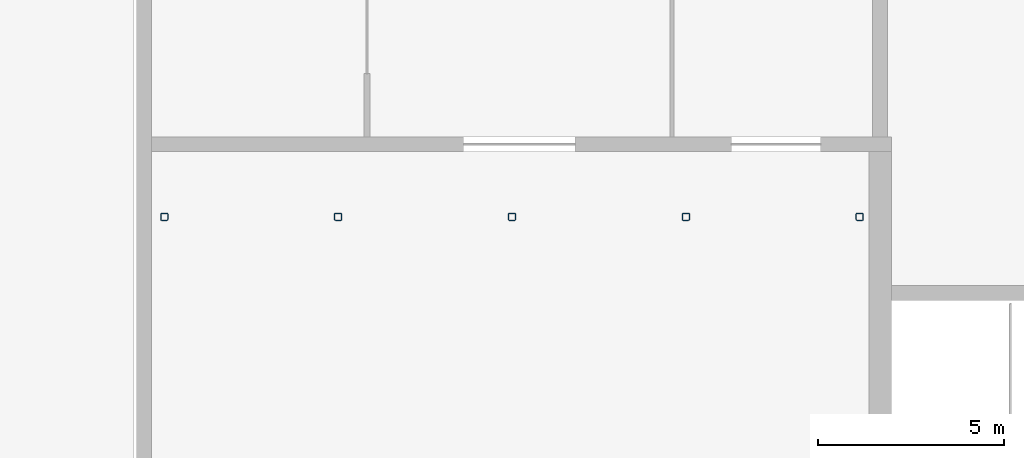
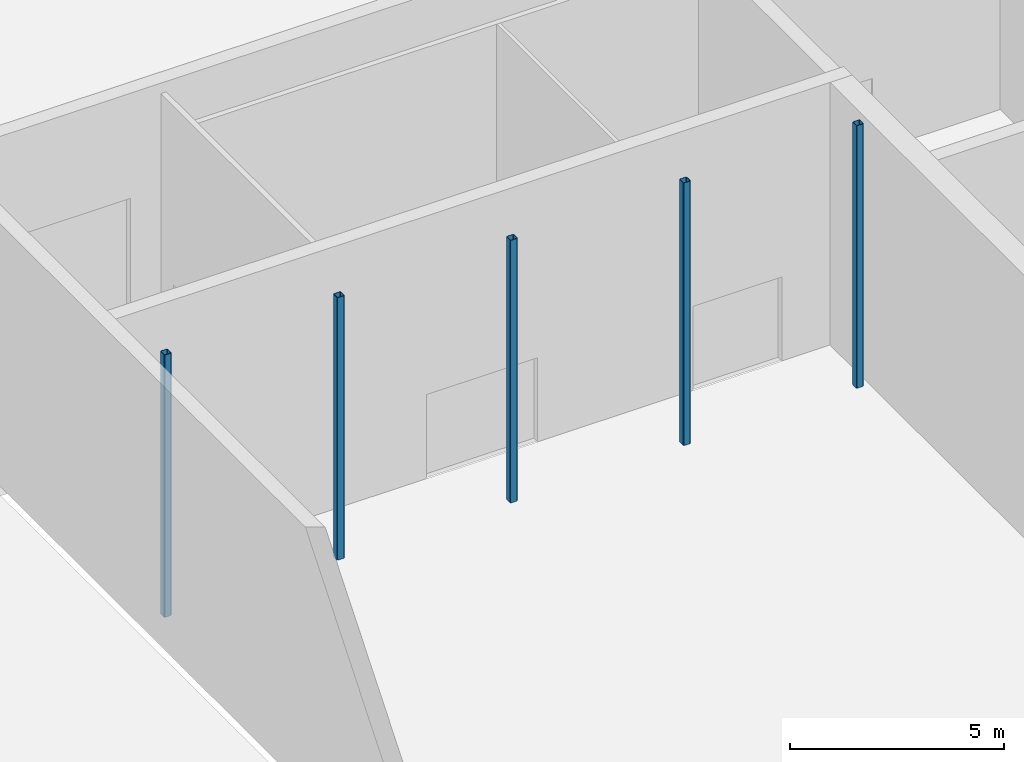
# One storey, part 6 of 79: 5 columns.
"""IFC4 building model written with IfcOpenShell, lengths in metres."""

import ifcopenshell
import ifcopenshell.guid

model = None  # the IFC model being written
_history = None  # IfcOwnerHistory: only IFC2X3 demands one
_inside = {}  # id of a spatial element -> (the spatial element, [elements in it])
_under = {}  # id of a project, library or spatial element -> (it, [spatial elements below it])
_declared = {}  # id of a project -> (the project, [libraries it declares])
_typed = {}  # id of a type object -> (the type object, [elements of that type])
_made_of = {}  # id of a material, layer set ... -> (it, [elements and type objects made of it])


def new_model(schema):
    """Start an empty IFC model of exactly this schema.

    Asked for "IFC4X3", IfcOpenShell would pick the latest addendum, in which some entities
    have other attributes; the version numbers below select the first issue.
    IFC2X3 requires an IfcOwnerHistory on every rooted entity: one is made here for all.
    """
    global model, _history
    if schema == "IFC4X3":
        model = ifcopenshell.file(schema_version=(4, 3, 0, 0))
    else:
        model = ifcopenshell.file(schema=schema)
    _inside.clear()
    _under.clear()
    _declared.clear()
    _typed.clear()
    _made_of.clear()
    _history = None
    if model.schema == "IFC2X3":
        org = make("IfcOrganization", Name="unknown")
        user = make(
            "IfcPersonAndOrganization",
            ThePerson=make("IfcPerson", FamilyName="unknown"),
            TheOrganization=org,
        )
        app = make(
            "IfcApplication",
            ApplicationDeveloper=org,
            Version="unknown",
            ApplicationFullName="unknown",
            ApplicationIdentifier="unknown",
        )
        _history = make(
            "IfcOwnerHistory",
            OwningUser=user,
            OwningApplication=app,
            ChangeAction="ADDED",
            CreationDate=0,
        )
    return model


def make(cls, **values):
    """One entity of the class cls with the attributes given. An attribute that is None is left unset."""
    return model.create_entity(
        cls, **{name: value for name, value in values.items() if value is not None}
    )


def rooted(cls, **values):
    """An entity with a GlobalId (a new one), such as an element, a storey or a relation."""
    return make(cls, GlobalId=ifcopenshell.guid.new(), OwnerHistory=_history, **values)


def si_unit(unit_type, name, prefix=None):
    """IfcSIUnit, for example si_unit("LENGTHUNIT", "METRE", prefix="MILLI")."""
    return make("IfcSIUnit", UnitType=unit_type, Prefix=prefix, Name=name)


def assignment(units):
    """IfcUnitAssignment: the units of a project."""
    return None if units is None else make("IfcUnitAssignment", Units=units)


def point(xyz):
    """IfcCartesianPoint."""
    return None if xyz is None else make("IfcCartesianPoint", Coordinates=xyz)


def direction(xyz):
    """IfcDirection."""
    return None if xyz is None else make("IfcDirection", DirectionRatios=xyz)


def frame(location, z_axis=None, x_axis=None):
    """IfcAxis2Placement3D, a coordinate frame: its origin and axes. An axis left out is left unset."""
    return make(
        "IfcAxis2Placement3D",
        Location=point(location),
        Axis=direction(z_axis),
        RefDirection=direction(x_axis),
    )


def frame_2d(location, x_axis=None):
    """IfcAxis2Placement2D, a coordinate frame in the plane: its origin and x axis."""
    return make(
        "IfcAxis2Placement2D", Location=point(location), RefDirection=direction(x_axis)
    )


def origin():
    """The frame at (0, 0, 0) with its axes left unset."""
    return frame((0.0, 0.0, 0.0))


def origin_2d():
    """The frame at (0, 0) in the plane with its x axis left unset."""
    return frame_2d((0.0, 0.0))


def place(relative_to, where):
    """IfcLocalPlacement: puts the frame where relative to a parent placement (None: the world)."""
    return make(
        "IfcLocalPlacement", PlacementRelTo=relative_to, RelativePlacement=where
    )


def context(
    kind, dimensions, precision=None, world=None, true_north=None, identifier=None
):
    """IfcGeometricRepresentationContext, for example the 3D "Model" context."""
    return make(
        "IfcGeometricRepresentationContext",
        ContextIdentifier=identifier,
        ContextType=kind,
        CoordinateSpaceDimension=dimensions,
        Precision=precision,
        WorldCoordinateSystem=world,
        TrueNorth=true_north,
    )


def subcontext(parent, identifier, kind, view, scale=None):
    """IfcGeometricRepresentationSubContext, for example "Body" below "Model"."""
    return make(
        "IfcGeometricRepresentationSubContext",
        ContextIdentifier=identifier,
        ContextType=kind,
        ParentContext=parent,
        TargetScale=scale,
        TargetView=view,
    )


def project(units=None, contexts=None):
    """IfcProject with its units and contexts."""
    return rooted(
        "IfcProject",
        Name="project",
        RepresentationContexts=contexts,
        UnitsInContext=assignment(units),
    )


def spatial(cls, under=None, at=None, **own):
    """A site, building, storey or space (cls), placed at a placement, below another one or the project."""
    s = rooted(cls, ObjectPlacement=at, **own)
    if under is not None:
        _under.setdefault(under.id(), (under, []))[1].append(s)
    return s


def profile(cls, at=None, kind="AREA", **sizes):
    """A parametric profile (cls). Its sizes go by their IFC names, for example OverallWidth=200.0."""
    return make(cls, ProfileType=kind, Position=at, **sizes)


def hollow_rectangle(**sizes):
    """IfcRectangleHollowProfileDef."""
    return profile("IfcRectangleHollowProfileDef", **sizes)


def extrude(swept, where, along, depth):
    """IfcExtrudedAreaSolid: the profile swept, set in the frame where, extruded along a direction by depth."""
    return make(
        "IfcExtrudedAreaSolid",
        SweptArea=swept,
        Position=where,
        ExtrudedDirection=direction(along),
        Depth=depth,
    )


def shape(context_of_items, identifier, shape_type, items):
    """IfcShapeRepresentation: the items that make up one representation, for example the "Body"."""
    return make(
        "IfcShapeRepresentation",
        ContextOfItems=context_of_items,
        RepresentationIdentifier=identifier,
        RepresentationType=shape_type,
        Items=items,
    )


def material(Name=None, Category=None):
    """IfcMaterial."""
    return make("IfcMaterial", Name=Name, Category=Category)


def material_profile(
    of_material, cross_section, Name=None, Category=None, Priority=None
):
    """IfcMaterialProfile: a cross section and its material."""
    return make(
        "IfcMaterialProfile",
        Name=Name,
        Material=of_material,
        Profile=cross_section,
        Priority=Priority,
        Category=Category,
    )


def profile_set(profiles, Name=None, composite=None):
    """IfcMaterialProfileSet."""
    return make(
        "IfcMaterialProfileSet",
        Name=Name,
        MaterialProfiles=profiles,
        CompositeProfile=composite,
    )


def made_of(thing, what):
    """Note that an element or type object is made of a material, layer set ...; save() writes the relation."""
    if what is not None:
        _made_of.setdefault(what.id(), (what, []))[1].append(thing)
    return thing


def type_object(cls, material=None, **own):
    """A type object (cls), such as IfcWallType, which elements share."""
    return made_of(rooted(cls, **own), material)


def element(
    cls,
    number,
    at=None,
    inside=None,
    cuts=None,
    type_object=None,
    material=None,
    context=None,
    identifier="Body",
    shape_type=None,
    held_by="IfcProductDefinitionShape",
    body=None,
    shapes=None,
    **own,
):
    """One element of the class cls, such as IfcWall. Its Tag is "e" and its number.

    at: its placement. inside: the storey or other place that contains it. cuts: it is an
    opening in that element (IfcRelVoidsElement). A single representation is given by context,
    identifier, shape_type and body (its items); several are given by shapes. held_by: the class
    of the entity that holds the representations. save() writes the other relations.
    """
    e = rooted(cls, Tag="e%d" % number, ObjectPlacement=at, **own)
    if body is not None:
        shapes = [shape(context, identifier, shape_type, body)]
    if shapes is not None:
        e.Representation = make(held_by, Representations=shapes)
    if inside is not None:
        _inside.setdefault(inside.id(), (inside, []))[1].append(e)
    if cuts is not None:
        rooted(
            "IfcRelVoidsElement", RelatingBuildingElement=cuts, RelatedOpeningElement=e
        )
    if type_object is not None:
        _typed.setdefault(type_object.id(), (type_object, []))[1].append(e)
    return made_of(e, material)


def aggregate(whole, parts):
    """IfcRelAggregates: a whole, such as a stair, and the parts it consists of."""
    return rooted("IfcRelAggregates", RelatingObject=whole, RelatedObjects=parts)


def save(model, path):
    """Write the relations noted so far, then the file.

    IfcRelAggregates (storeys below a building ...), IfcRelContainedInSpatialStructure (elements
    in a storey), IfcRelDefinesByType, IfcRelAssociatesMaterial and IfcRelDeclares: one each for
    every whole, place, type object, material and project.
    """
    for whole, parts in _under.values():
        aggregate(whole, parts)
    for where, things in _inside.values():
        rooted(
            "IfcRelContainedInSpatialStructure",
            RelatedElements=things,
            RelatingStructure=where,
        )
    for kind, things in _typed.values():
        rooted("IfcRelDefinesByType", RelatedObjects=things, RelatingType=kind)
    for what, things in _made_of.values():
        rooted("IfcRelAssociatesMaterial", RelatedObjects=things, RelatingMaterial=what)
    for by, libraries in _declared.values():
        rooted("IfcRelDeclares", RelatingContext=by, RelatedDefinitions=libraries)
    model.write(path)


model = new_model("IFC4")

# Units and contexts
model_context = context("Model", 3, precision=1e-05, world=origin(), true_north=direction((0.0, 1.0)))
body_context = subcontext(model_context, "Body", "Model", "MODEL_VIEW")
ifc_project = project(units=[si_unit("LENGTHUNIT", "METRE"), si_unit("AREAUNIT", "SQUARE_METRE"), si_unit("VOLUMEUNIT", "CUBIC_METRE"), si_unit("PLANEANGLEUNIT", "RADIAN"), si_unit("MASSUNIT", "GRAM", prefix="KILO")], contexts=[model_context])

# Site, building, storey
site_placement = place(None, origin())
site = spatial("IfcSite", under=ifc_project, at=site_placement, CompositionType="ELEMENT")
building_placement = place(site_placement, origin())
building = spatial("IfcBuilding", under=site, at=building_placement, Name="Noorbagh Ring Tower", CompositionType="ELEMENT")
storey_placement = place(building_placement, origin())
storey = spatial("IfcBuildingStorey", under=building, at=storey_placement, Name="L00", CompositionType="ELEMENT", Elevation=0.0)

# Columns
ifc_material = material(Name="Steel S355", Category="steel")
ifc_material_profile = material_profile(ifc_material, hollow_rectangle(XDim=0.199951171875, YDim=0.199951171875, WallThickness=0.012451171875, InnerFilletRadius=0.012451171875, OuterFilletRadius=0.03125, at=origin_2d()), Name="SHS200x200x12.5")
ifc_profile_set = profile_set([ifc_material_profile], Name="Steel S355")
column_type = type_object("IfcColumnType", Name="TH-COL-POST", PredefinedType="COLUMN", material=ifc_profile_set)
for number, where, z_axis, x_axis, name in (
    (1, (-159.25, 21.050048828125, 0.0), (0.0, 0.0, 1.0), (1.0, 0.0, 0.0), "L00/th-col/gal-N0"),
    (2, (-154.574951171875, 21.050048828125, 0.0), (0.0, 0.0, 1.0), (1.0, 0.0, 0.0), "L00/th-col/gal-N1"),
    (3, (-149.89990234375, 21.050048828125, 0.0), (0.0, 0.0, 1.0), (1.0, 0.0, 0.0), "L00/th-col/gal-N2"),
    (4, (-145.22509765625, 21.050048828125, 0.0), (0.0, 0.0, 1.0), (1.0, 0.0, 0.0), "L00/th-col/gal-N3"),
    (5, (-140.550048828125, 21.050048828125, 0.0), (0.0, 0.0, 1.0), (1.0, 0.0, 0.0), "L00/th-col/gal-N4"),
):
    element("IfcColumn", number, at=place(storey_placement, frame(where, z_axis=z_axis, x_axis=x_axis)), inside=storey, type_object=column_type, Name=name, PredefinedType="COLUMN", context=body_context, shape_type="SweptSolid", body=[
        extrude(hollow_rectangle(XDim=0.199951171875, YDim=0.199951171875, WallThickness=0.012451171875, InnerFilletRadius=0.012451171875, OuterFilletRadius=0.03125, at=origin_2d()), origin(), (0.0, 0.0, 1.0), 7.5),
    ])

save(model, "model.ifc")
